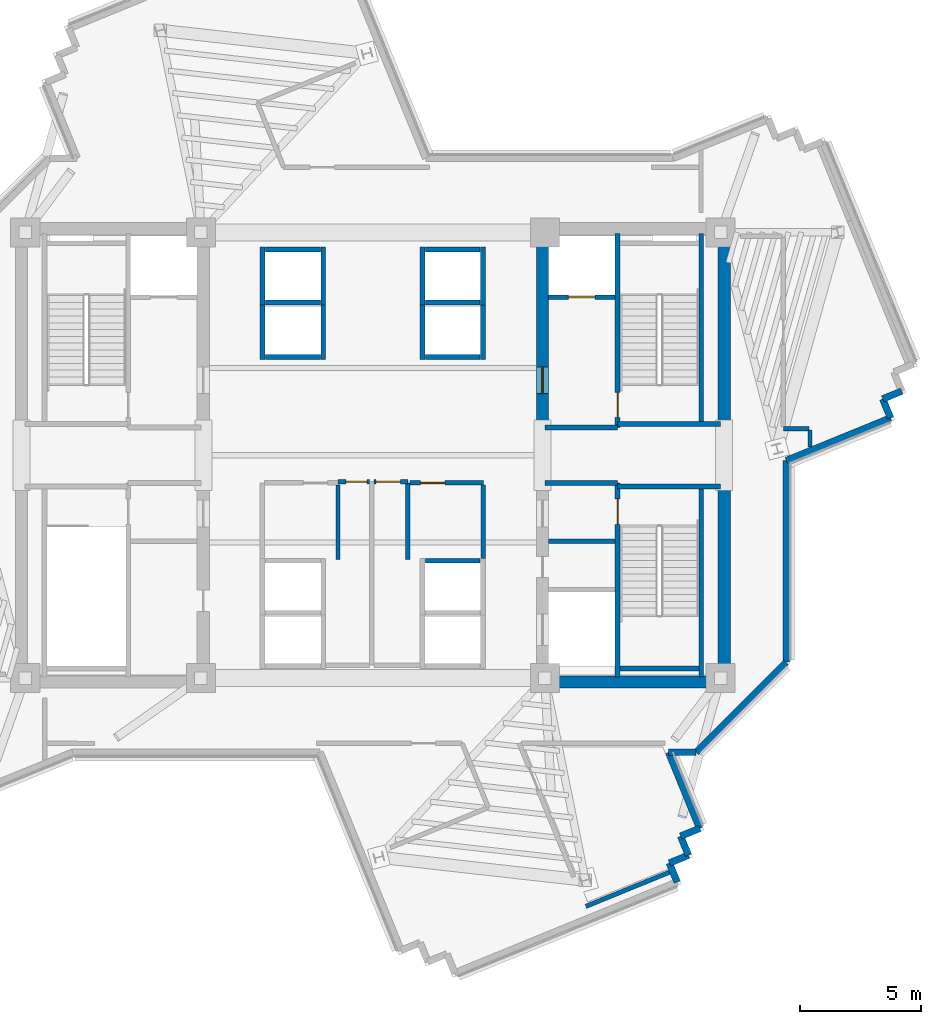
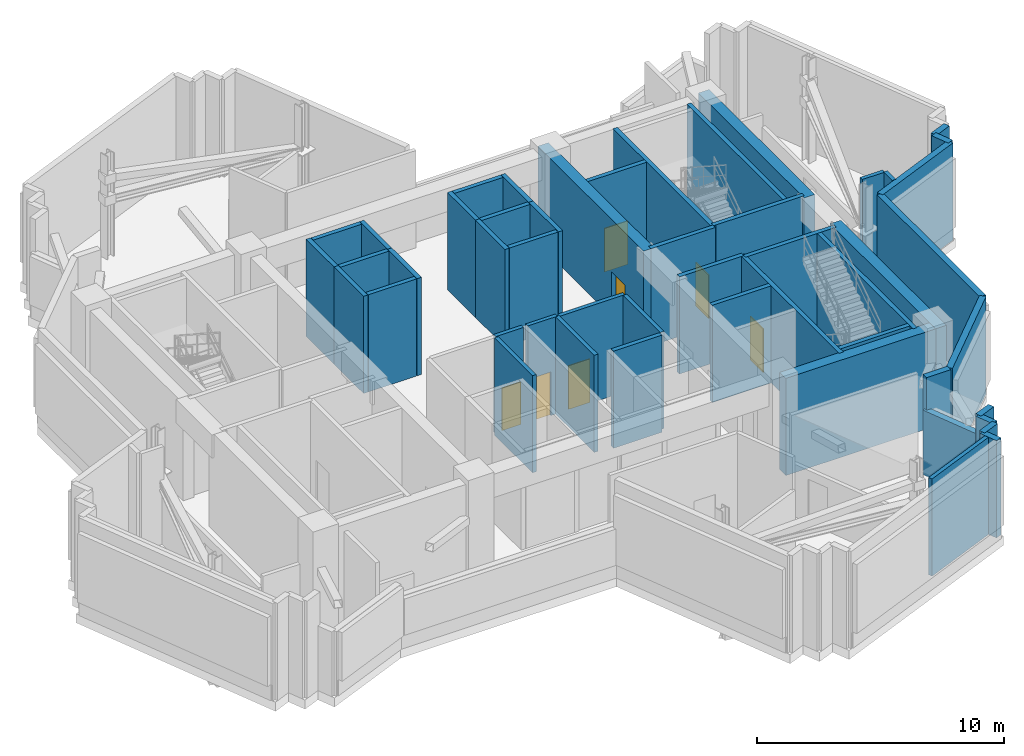
# One storey, part 5 of 11: 50 walls, 7 doors, 7 openings.
"""IFC4 building model written with IfcOpenShell, lengths in metres."""

from ifc_helpers import new_model, si_unit, direction, frame, frame_2d, origin, place, context, subcontext, project, spatial, rectangle, extrude, source, transform, mapped, material, layer, layer_set, type_object, element, fill, save


model = new_model("IFC4")

# Units and contexts
model_context = context("Model", 3, precision=1e-05, world=origin(), true_north=direction((0.0, 1.0)))
body_context = subcontext(model_context, "Body", "Model", "MODEL_VIEW")
ifc_project = project(units=[si_unit("LENGTHUNIT", "METRE"), si_unit("AREAUNIT", "SQUARE_METRE"), si_unit("VOLUMEUNIT", "CUBIC_METRE"), si_unit("PLANEANGLEUNIT", "RADIAN"), si_unit("MASSUNIT", "GRAM", prefix="KILO")], contexts=[model_context])

# Site, building, storey
site_placement = place(None, origin())
site = spatial("IfcSite", under=ifc_project, at=site_placement, CompositionType="ELEMENT")
building_placement = place(site_placement, origin())
building = spatial("IfcBuilding", under=site, at=building_placement, Name="Zahravan Cultural Tower", CompositionType="ELEMENT")
storey_placement = place(building_placement, frame((0.0, 0.0, 229.199951171875)))
storey = spatial("IfcBuildingStorey", under=building, at=storey_placement, Name="L54", CompositionType="ELEMENT", Elevation=229.199951171875)

# Wall, opening, door
ifc_material_1 = material(Name="Concrete C60/75", Category="concrete")
ifc_layer_1 = layer(ifc_material_1, 0.5)
ifc_layer_set_1 = layer_set([ifc_layer_1], Name="Concrete C60/75")
wall_type_1 = type_object("IfcWallType", Name="CW-SHEAR-500-C60", PredefinedType="SHEAR", material=ifc_layer_set_1)
wall_1_placement = place(storey_placement, frame((43.0, 28.050048828125, 0.0), z_axis=(0.0, 0.0, 1.0), x_axis=(0.0, 1.0, 0.0)))
wall_1 = element("IfcWall", 1, at=wall_1_placement, inside=storey, type_object=wall_type_1, Name="L54 Core Shear Wall CW-E-WN-L54", PredefinedType="SHEAR", context=body_context, shape_type="SweptSolid", body=[
    extrude(rectangle(XDim=8.550048828125, YDim=0.5, at=frame_2d((4.27490234375, 0.0))), origin(), (0.0, 0.0, 1.0), 4.800048828125),
])
opening_1_placement = place(wall_1_placement, frame((1.5, 0.0, 0.0)))
opening_1 = element("IfcOpeningElement", 2, at=opening_1_placement, cuts=wall_1, Name="Opening D-L54-06", PredefinedType="OPENING", context=body_context, shape_type="SweptSolid", body=[
    extrude(rectangle(XDim=1.10009765625, YDim=2.199951171875, at=frame_2d((0.550048828125, 1.10009765625))), frame((0.0, 0.260009765625, 0.0), z_axis=(0.0, -1.0, 0.0), x_axis=(1.0, 0.0, 0.0)), (0.0, 0.0, 1.0), 0.52001953125),
])
ifc_material_2 = material(Name="Steel ASTM A572 Grade 50", Category="steel")
door_type_1 = type_object("IfcDoorType", Name="DR-LOBBY-1100", OperationType="NOTDEFINED", PredefinedType="DOOR", material=ifc_material_2)
shared_shape_1 = source(origin(), body_context, "Body", "SweptSolid", [
    extrude(rectangle(XDim=1.10009765625, YDim=2.199951171875, at=frame_2d((0.550048828125, 1.10009765625))), frame((0.0, 0.02490234375, 0.0), z_axis=(0.0, -1.0, 0.0), x_axis=(1.0, 0.0, 0.0)), (0.0, 0.0, 1.0), 0.050048828125),
])
door_1_placement = place(opening_1_placement, origin())
door_1 = element("IfcDoor", 3, at=door_1_placement, inside=storey, type_object=door_type_1, Name="L54 Door D-L54-06", OperationType="SINGLE_SWING_LEFT", OverallHeight=2.199951171875, OverallWidth=1.10009765625, PredefinedType="DOOR", context=body_context, shape_type="MappedRepresentation", body=[
    mapped(shared_shape_1, transform((0.0, 0.0, 0.0), x_axis=(1.0, 0.0, 0.0), y_axis=(0.0, 1.0, 0.0), z_axis=(0.0, 0.0, 1.0), scale=1.0)),
])
fill(opening_1, door_1)

ifc_material_3 = material(Name="Gypsum plasterboard partition")
ifc_layer_2 = layer(ifc_material_3, 0.179931640625)
ifc_layer_set_2 = layer_set([ifc_layer_2], Name="Gypsum plasterboard partition")
wall_type_2 = type_object("IfcWallType", Name="W-COMP-180", PredefinedType="PARTITIONING", material=ifc_layer_set_2)
wall_2_placement = place(storey_placement, frame((37.534912109375, 25.860107421875, 0.0), z_axis=(0.0, 0.0, 1.0), x_axis=(1.0, 0.0, 0.0)))
wall_2 = element("IfcWall", 4, at=wall_2_placement, inside=storey, type_object=wall_type_2, Name="L54 Interior Wall 058", PredefinedType="PARTITIONING", context=body_context, shape_type="SweptSolid", body=[
    extrude(rectangle(XDim=3.025146484375, YDim=0.179931640625, at=frame_2d((1.5126953125, 0.0))), origin(), (0.0, 0.0, 1.0), 4.800048828125),
])
opening_2_placement = place(wall_2_placement, frame((0.431396484375, 0.0, 0.0)))
opening_2 = element("IfcOpeningElement", 5, at=opening_2_placement, cuts=wall_2, Name="Opening D-L54-12", PredefinedType="OPENING", context=body_context, shape_type="SweptSolid", body=[
    extrude(rectangle(XDim=1.0, YDim=2.14990234375, at=frame_2d((0.5, 1.074951171875))), frame((0.0, 0.099853515625, 0.0), z_axis=(0.0, -1.0, 0.0), x_axis=(1.0, 0.0, 0.0)), (0.0, 0.0, 1.0), 0.199951171875),
])
door_type_2 = type_object("IfcDoorType", Name="DR-COMP-1000", OperationType="NOTDEFINED", PredefinedType="DOOR", material=ifc_material_2)
shared_shape_2 = source(origin(), body_context, "Body", "SweptSolid", [
    extrude(rectangle(XDim=1.0, YDim=2.14990234375, at=frame_2d((0.5, 1.074951171875))), frame((0.0, 0.02490234375, 0.0), z_axis=(0.0, -1.0, 0.0), x_axis=(1.0, 0.0, 0.0)), (0.0, 0.0, 1.0), 0.050048828125),
])
door_2_placement = place(opening_2_placement, origin())
door_2 = element("IfcDoor", 6, at=door_2_placement, inside=storey, type_object=door_type_2, Name="L54 Door D-L54-12", OperationType="SINGLE_SWING_LEFT", OverallHeight=2.14990234375, OverallWidth=1.0, PredefinedType="DOOR", context=body_context, shape_type="MappedRepresentation", body=[
    mapped(shared_shape_2, transform((0.0, 0.0, 0.0), x_axis=(1.0, 0.0, 0.0), y_axis=(0.0, 1.0, 0.0), z_axis=(0.0, 0.0, 1.0), scale=1.0)),
])
fill(opening_2, door_2)

wall_3_placement = place(storey_placement, frame((34.56005859375, 25.909912109375, 0.0), z_axis=(0.0, 0.0, 1.0), x_axis=(1.0, 0.0, 0.0)))
wall_3 = element("IfcWall", 7, at=wall_3_placement, inside=storey, type_object=wall_type_2, Name="L54 Interior Wall 062", PredefinedType="PARTITIONING", context=body_context, shape_type="SweptSolid", body=[
    extrude(rectangle(XDim=1.304931640625, YDim=0.179931640625, at=frame_2d((0.65234375, 0.0))), origin(), (0.0, 0.0, 1.0), 4.800048828125),
])
opening_3_placement = place(wall_3_placement, frame((0.325927734375, 0.0, 0.0)))
opening_3 = element("IfcOpeningElement", 8, at=opening_3_placement, cuts=wall_3, Name="Opening D-L54-18", PredefinedType="OPENING", context=body_context, shape_type="SweptSolid", body=[
    extrude(rectangle(XDim=0.8798828125, YDim=2.10009765625, at=frame_2d((0.43994140625, 1.050048828125))), frame((0.0, 0.099853515625, 0.0), z_axis=(0.0, -1.0, 0.0), x_axis=(1.0, 0.0, 0.0)), (0.0, 0.0, 1.0), 0.199951171875),
])
door_type_3 = type_object("IfcDoorType", Name="DR-SVC-880", OperationType="NOTDEFINED", PredefinedType="DOOR", material=ifc_material_2)
shared_shape_3 = source(origin(), body_context, "Body", "SweptSolid", [
    extrude(rectangle(XDim=0.8798828125, YDim=2.10009765625, at=frame_2d((0.43994140625, 1.050048828125))), frame((0.0, 0.02490234375, 0.0), z_axis=(0.0, -1.0, 0.0), x_axis=(1.0, 0.0, 0.0)), (0.0, 0.0, 1.0), 0.050048828125),
])
door_3_placement = place(opening_3_placement, origin())
door_3 = element("IfcDoor", 9, at=door_3_placement, inside=storey, type_object=door_type_3, Name="L54 Door D-L54-18", OperationType="SINGLE_SWING_LEFT", OverallHeight=2.10009765625, OverallWidth=0.8798828125, PredefinedType="DOOR", context=body_context, shape_type="MappedRepresentation", body=[
    mapped(shared_shape_3, transform((0.0, 0.0, 0.0), x_axis=(1.0, 0.0, 0.0), y_axis=(0.0, 1.0, 0.0), z_axis=(0.0, 0.0, 1.0), scale=1.0)),
])
fill(opening_3, door_3)

wall_4_placement = place(storey_placement, frame((36.054931640625, 25.909912109375, 0.0), z_axis=(0.0, 0.0, 1.0), x_axis=(1.0, 0.0, 0.0)))
wall_4 = element("IfcWall", 10, at=wall_4_placement, inside=storey, type_object=wall_type_2, Name="L54 Interior Wall 064", PredefinedType="PARTITIONING", context=body_context, shape_type="SweptSolid", body=[
    extrude(rectangle(XDim=1.385009765625, YDim=0.179931640625, at=frame_2d((0.6923828125, 0.0))), origin(), (0.0, 0.0, 1.0), 4.800048828125),
])
opening_4_placement = place(wall_4_placement, frame((0.080078125, 0.0, 0.0)))
opening_4 = element("IfcOpeningElement", 11, at=opening_4_placement, cuts=wall_4, Name="Opening D-L54-19", PredefinedType="OPENING", context=body_context, shape_type="SweptSolid", body=[
    extrude(rectangle(XDim=1.0, YDim=2.14990234375, at=frame_2d((0.5, 1.074951171875))), frame((0.0, 0.099853515625, 0.0), z_axis=(0.0, -1.0, 0.0), x_axis=(1.0, 0.0, 0.0)), (0.0, 0.0, 1.0), 0.199951171875),
])
door_4_placement = place(opening_4_placement, origin())
door_4 = element("IfcDoor", 12, at=door_4_placement, inside=storey, type_object=door_type_2, Name="L54 Door D-L54-19", OperationType="SINGLE_SWING_RIGHT", OverallHeight=2.14990234375, OverallWidth=1.0, PredefinedType="DOOR", context=body_context, shape_type="MappedRepresentation", body=[
    mapped(shared_shape_2, transform((0.0, 0.0, 0.0), x_axis=(1.0, 0.0, 0.0), y_axis=(0.0, 1.0, 0.0), z_axis=(0.0, 0.0, 1.0), scale=1.0)),
])
fill(opening_4, door_4)

ifc_material_4 = material(Name="Concrete C45/55", Category="concrete")
ifc_layer_3 = layer(ifc_material_4, 0.199951171875)
ifc_layer_set_3 = layer_set([ifc_layer_3], Name="Concrete C45/55")
wall_type_3 = type_object("IfcWallType", Name="W-SHAFT-200", PredefinedType="SOLIDWALL", material=ifc_layer_set_3)
wall_5_placement = place(storey_placement, frame((46.10009765625, 17.85009765625, 0.0), z_axis=(0.0, 0.0, 1.0), x_axis=(0.0, 1.0, 0.0)))
wall_5 = element("IfcWall", 13, at=wall_5_placement, inside=storey, type_object=wall_type_3, Name="L54 Interior Wall 007", PredefinedType="SOLIDWALL", context=body_context, shape_type="SweptSolid", body=[
    extrude(rectangle(XDim=8.0, YDim=0.199951171875, at=frame_2d((4.0, 0.0))), origin(), (0.0, 0.0, 1.0), 4.800048828125),
])
opening_5_placement = place(wall_5_placement, frame((6.300048828125, 0.0, 0.0)))
opening_5 = element("IfcOpeningElement", 14, at=opening_5_placement, cuts=wall_5, Name="Opening D-L54-03", PredefinedType="OPENING", context=body_context, shape_type="SweptSolid", body=[
    extrude(rectangle(XDim=1.050048828125, YDim=2.14990234375, at=frame_2d((0.52490234375, 1.074951171875))), frame((0.0, 0.10986328125, 0.0), z_axis=(0.0, -1.0, 0.0), x_axis=(1.0, 0.0, 0.0)), (0.0, 0.0, 1.0), 0.219970703125),
])
door_type_4 = type_object("IfcDoorType", Name="DR-STAIR-1050", OperationType="NOTDEFINED", PredefinedType="DOOR", material=ifc_material_2)
shared_shape_4 = source(origin(), body_context, "Body", "SweptSolid", [
    extrude(rectangle(XDim=1.050048828125, YDim=2.14990234375, at=frame_2d((0.52490234375, 1.074951171875))), frame((0.0, 0.02490234375, 0.0), z_axis=(0.0, -1.0, 0.0), x_axis=(1.0, 0.0, 0.0)), (0.0, 0.0, 1.0), 0.050048828125),
])
door_5_placement = place(opening_5_placement, origin())
door_5 = element("IfcDoor", 15, at=door_5_placement, inside=storey, type_object=door_type_4, Name="L54 Door D-L54-03", OperationType="SINGLE_SWING_RIGHT", OverallHeight=2.14990234375, OverallWidth=1.050048828125, PredefinedType="DOOR", context=body_context, shape_type="MappedRepresentation", body=[
    mapped(shared_shape_4, transform((0.0, 0.0, 0.0), x_axis=(1.0, 0.0, 0.0), y_axis=(0.0, 1.0, 0.0), z_axis=(0.0, 0.0, 1.0), scale=1.0)),
])
fill(opening_5, door_5)

wall_6_placement = place(storey_placement, frame((46.10009765625, 28.14990234375, 0.0), z_axis=(0.0, 0.0, 1.0), x_axis=(0.0, 1.0, 0.0)))
wall_6 = element("IfcWall", 16, at=wall_6_placement, inside=storey, type_object=wall_type_3, Name="L54 Interior Wall 008", PredefinedType="SOLIDWALL", context=body_context, shape_type="SweptSolid", body=[
    extrude(rectangle(XDim=8.0, YDim=0.199951171875, at=frame_2d((4.0, 0.0))), origin(), (0.0, 0.0, 1.0), 4.800048828125),
])
opening_6_placement = place(wall_6_placement, frame((0.39990234375, 0.0, 0.0)))
opening_6 = element("IfcOpeningElement", 17, at=opening_6_placement, cuts=wall_6, Name="Opening D-L54-02", PredefinedType="OPENING", context=body_context, shape_type="SweptSolid", body=[
    extrude(rectangle(XDim=1.050048828125, YDim=2.14990234375, at=frame_2d((0.52490234375, 1.074951171875))), frame((0.0, 0.10986328125, 0.0), z_axis=(0.0, -1.0, 0.0), x_axis=(1.0, 0.0, 0.0)), (0.0, 0.0, 1.0), 0.219970703125),
])
door_6_placement = place(opening_6_placement, origin())
door_6 = element("IfcDoor", 18, at=door_6_placement, inside=storey, type_object=door_type_4, Name="L54 Door D-L54-02", OperationType="SINGLE_SWING_LEFT", OverallHeight=2.14990234375, OverallWidth=1.050048828125, PredefinedType="DOOR", context=body_context, shape_type="MappedRepresentation", body=[
    mapped(shared_shape_4, transform((0.0, 0.0, 0.0), x_axis=(1.0, 0.0, 0.0), y_axis=(0.0, 1.0, 0.0), z_axis=(0.0, 0.0, 1.0), scale=1.0)),
])
fill(opening_6, door_6)

wall_7_placement = place(storey_placement, frame((43.25, 33.52001953125, 0.0), z_axis=(0.0, 0.0, 1.0), x_axis=(1.0, 0.0, 0.0)))
wall_7 = element("IfcWall", 19, at=wall_7_placement, inside=storey, type_object=wall_type_3, Name="L54 Interior Wall 022", PredefinedType="SOLIDWALL", context=body_context, shape_type="SweptSolid", body=[
    extrude(rectangle(XDim=2.75, YDim=0.199951171875, at=frame_2d((1.375, 0.0))), origin(), (0.0, 0.0, 1.0), 4.800048828125),
])
opening_7_placement = place(wall_7_placement, frame((0.820068359375, 0.0, 0.0)))
opening_7 = element("IfcOpeningElement", 20, at=opening_7_placement, cuts=wall_7, Name="Opening LD-L54-02", PredefinedType="OPENING", context=body_context, shape_type="SweptSolid", body=[
    extrude(rectangle(XDim=1.10009765625, YDim=2.14990234375, at=frame_2d((0.550048828125, 1.074951171875))), frame((0.0, 0.10986328125, 0.0), z_axis=(0.0, -1.0, 0.0), x_axis=(1.0, 0.0, 0.0)), (0.0, 0.0, 1.0), 0.219970703125),
])
door_type_5 = type_object("IfcDoorType", Name="DR-LIFT-1100", OperationType="DOUBLE_DOOR_SLIDING", PredefinedType="DOOR", material=ifc_material_2)
shared_shape_5 = source(origin(), body_context, "Body", "SweptSolid", [
    extrude(rectangle(XDim=1.10009765625, YDim=2.14990234375, at=frame_2d((0.550048828125, 1.074951171875))), frame((0.0, 0.02490234375, 0.0), z_axis=(0.0, -1.0, 0.0), x_axis=(1.0, 0.0, 0.0)), (0.0, 0.0, 1.0), 0.050048828125),
])
door_7_placement = place(opening_7_placement, origin())
door_7 = element("IfcDoor", 21, at=door_7_placement, inside=storey, type_object=door_type_5, Name="L54 Door LD-L54-02", OperationType="DOUBLE_DOOR_SLIDING", OverallHeight=2.14990234375, OverallWidth=1.10009765625, PredefinedType="DOOR", context=body_context, shape_type="MappedRepresentation", body=[
    mapped(shared_shape_5, transform((0.0, 0.0, 0.0), x_axis=(1.0, 0.0, 0.0), y_axis=(0.0, 1.0, 0.0), z_axis=(0.0, 0.0, 1.0), scale=1.0)),
])
fill(opening_7, door_7)

# Walls
shared_shape_6 = source(origin(), body_context, "Body", "SweptSolid", [
    extrude(rectangle(XDim=8.550048828125, YDim=0.5, at=frame_2d((4.27490234375, 0.0))), origin(), (0.0, 0.0, 1.0), 4.800048828125),
])
for number, where, z_axis, x_axis, name in (
    (22, (50.5, 17.39990234375, 0.0), (0.0, 0.0, 1.0), (0.0, 1.0, 0.0), "L54 Core Shear Wall CW-E-ES-L54"),
    (23, (50.5, 28.050048828125, 0.0), (0.0, 0.0, 1.0), (0.0, 1.0, 0.0), "L54 Core Shear Wall CW-E-EN-L54"),
):
    element("IfcWall", number, at=place(storey_placement, frame(where, z_axis=z_axis, x_axis=x_axis)), inside=storey, type_object=wall_type_1, Name=name, PredefinedType="SHEAR", context=body_context, shape_type="MappedRepresentation", body=[
        mapped(shared_shape_6, transform((0.0, 0.0, 0.0), x_axis=(1.0, 0.0, 0.0), y_axis=(0.0, 1.0, 0.0), z_axis=(0.0, 0.0, 1.0), scale=1.0)),
    ])
shared_shape_7 = source(origin(), body_context, "Body", "SweptSolid", [
    extrude(rectangle(XDim=7.0, YDim=0.5, at=frame_2d((3.5, 0.0))), origin(), (0.0, 0.0, 1.0), 4.800048828125),
])
wall_8_placement = place(storey_placement, frame((43.25, 17.64990234375, 0.0), z_axis=(0.0, 0.0, 1.0), x_axis=(1.0, 0.0, 0.0)))
element("IfcWall", 24, at=wall_8_placement, inside=storey, type_object=wall_type_1, Name="L54 Core Shear Wall CW-E-S-L54", PredefinedType="SHEAR", context=body_context, shape_type="MappedRepresentation", body=[
    mapped(shared_shape_7, transform((0.0, 0.0, 0.0), x_axis=(1.0, 0.0, 0.0), y_axis=(0.0, 1.0, 0.0), z_axis=(0.0, 0.0, 1.0), scale=1.0)),
])
ifc_material_5 = material(Name="Precast concrete C40/50", Category="concrete")
ifc_layer_4 = layer(ifc_material_5, 0.280029296875)
ifc_layer_set_4 = layer_set([ifc_layer_4], Name="Precast concrete C40/50")
wall_type_4 = type_object("IfcWallType", Name="EW-TC-280", PredefinedType="SOLIDWALL", material=ifc_layer_set_4)
shared_shape_8 = source(origin(), body_context, "Body", "SweptSolid", [
    extrude(rectangle(XDim=0.85009765625, YDim=0.280029296875, at=frame_2d((0.425048828125, 0.0))), origin(), (0.0, 0.0, 1.0), 4.800048828125),
])
for number, where, z_axis, x_axis, name in (
    (25, (57.044677734375, 29.32568359375, 0.0), (0.0, 0.0, 1.0), (0.378263755491, -0.925697861768, 0.0), "L54 Exterior Masonry Frame Wall 10"),
    (26, (49.490234375, 11.599365234375, 0.0), (0.0, 0.0, 1.0), (-0.925697861768, -0.378263755491, 0.0), "L54 Exterior Masonry Frame Wall 16"),
    (27, (48.703369140625, 11.27783203125, 0.0), (0.0, 0.0, 1.0), (0.378263755491, -0.925697861768, 0.0), "L54 Exterior Masonry Frame Wall 17"),
):
    element("IfcWall", number, at=place(storey_placement, frame(where, z_axis=z_axis, x_axis=x_axis)), inside=storey, type_object=wall_type_4, Name=name, PredefinedType="SOLIDWALL", context=body_context, shape_type="MappedRepresentation", body=[
        mapped(shared_shape_8, transform((0.0, 0.0, 0.0), x_axis=(1.0, 0.0, 0.0), y_axis=(0.0, 1.0, 0.0), z_axis=(0.0, 0.0, 1.0), scale=1.0)),
    ])
shared_shape_9 = source(origin(), body_context, "Body", "SweptSolid", [
    extrude(rectangle(XDim=0.849853515625, YDim=0.280029296875, at=frame_2d((0.4248046875, 0.0))), origin(), (0.0, 0.0, 1.0), 4.800048828125),
])
for number, where, z_axis, x_axis, name in (
    (28, (57.831298828125, 29.6474609375, 0.0), (0.0, 0.0, 1.0), (-0.925556107625, -0.378610474814, 0.0), "L54 Exterior Masonry Frame Wall 09"),
    (29, (49.02490234375, 10.490966796875, 0.0), (0.0, 0.0, 1.0), (-0.925556107625, -0.378610474814, 0.0), "L54 Exterior Masonry Frame Wall 18"),
    (30, (48.23828125, 10.169189453125, 0.0), (0.0, 0.0, 1.0), (0.378364351045, -0.92565674948, 0.0), "L54 Exterior Masonry Frame Wall 19"),
):
    element("IfcWall", number, at=place(storey_placement, frame(where, z_axis=z_axis, x_axis=x_axis)), inside=storey, type_object=wall_type_4, Name=name, PredefinedType="SOLIDWALL", context=body_context, shape_type="MappedRepresentation", body=[
        mapped(shared_shape_9, transform((0.0, 0.0, 0.0), x_axis=(1.0, 0.0, 0.0), y_axis=(0.0, 1.0, 0.0), z_axis=(0.0, 0.0, 1.0), scale=1.0)),
    ])
shared_shape_10 = source(origin(), body_context, "Body", "SweptSolid", [
    extrude(rectangle(XDim=4.65185546875, YDim=0.280029296875, at=frame_2d((2.325927734375, 0.0))), origin(), (0.0, 0.0, 1.0), 4.800048828125),
])
wall_9_placement = place(storey_placement, frame((57.3662109375, 28.538818359375, 0.0), z_axis=(0.0, 0.0, 1.0), x_axis=(-0.925667291587, -0.37833855908, 0.0)))
element("IfcWall", 31, at=wall_9_placement, inside=storey, type_object=wall_type_4, Name="L54 Exterior Masonry Frame Wall 11", PredefinedType="SOLIDWALL", context=body_context, shape_type="MappedRepresentation", body=[
    mapped(shared_shape_10, transform((0.0, 0.0, 0.0), x_axis=(1.0, 0.0, 0.0), y_axis=(0.0, 1.0, 0.0), z_axis=(0.0, 0.0, 1.0), scale=1.0)),
])
shared_shape_11 = source(origin(), body_context, "Body", "SweptSolid", [
    extrude(rectangle(XDim=8.32080078125, YDim=0.280029296875, at=frame_2d((4.160400390625, 0.0))), origin(), (0.0, 0.0, 1.0), 4.800048828125),
])
wall_10_placement = place(storey_placement, frame((53.06005859375, 26.77880859375, 0.0), z_axis=(0.0, 0.0, 1.0), x_axis=(0.0, -1.0, 0.0)))
element("IfcWall", 32, at=wall_10_placement, inside=storey, type_object=wall_type_4, Name="L54 Exterior Masonry Frame Wall 12", PredefinedType="SOLIDWALL", context=body_context, shape_type="MappedRepresentation", body=[
    mapped(shared_shape_11, transform((0.0, 0.0, 0.0), x_axis=(1.0, 0.0, 0.0), y_axis=(0.0, 1.0, 0.0), z_axis=(0.0, 0.0, 1.0), scale=1.0)),
])
shared_shape_12 = source(origin(), body_context, "Body", "SweptSolid", [
    extrude(rectangle(XDim=5.258056640625, YDim=0.280029296875, at=frame_2d((2.62890625, 0.0))), origin(), (0.0, 0.0, 1.0), 4.800048828125),
])
wall_11_placement = place(storey_placement, frame((53.06005859375, 18.4580078125, 0.0), z_axis=(0.0, 0.0, 1.0), x_axis=(-0.707106781187, -0.707106781187, 0.0)))
element("IfcWall", 33, at=wall_11_placement, inside=storey, type_object=wall_type_4, Name="L54 Exterior Masonry Frame Wall 13", PredefinedType="SOLIDWALL", context=body_context, shape_type="MappedRepresentation", body=[
    mapped(shared_shape_12, transform((0.0, 0.0, 0.0), x_axis=(1.0, 0.0, 0.0), y_axis=(0.0, 1.0, 0.0), z_axis=(0.0, 0.0, 1.0), scale=1.0)),
])
shared_shape_13 = source(origin(), body_context, "Body", "SweptSolid", [
    extrude(rectangle(XDim=1.1357421875, YDim=0.280029296875, at=frame_2d((0.56787109375, 0.0))), origin(), (0.0, 0.0, 1.0), 4.800048828125),
])
wall_12_placement = place(storey_placement, frame((49.342041015625, 14.739990234375, 0.0), z_axis=(0.0, 0.0, 1.0), x_axis=(-1.0, 0.0, 0.0)))
element("IfcWall", 34, at=wall_12_placement, inside=storey, type_object=wall_type_4, Name="L54 Exterior Masonry Frame Wall 14", PredefinedType="SOLIDWALL", context=body_context, shape_type="MappedRepresentation", body=[
    mapped(shared_shape_13, transform((0.0, 0.0, 0.0), x_axis=(1.0, 0.0, 0.0), y_axis=(0.0, 1.0, 0.0), z_axis=(0.0, 0.0, 1.0), scale=1.0)),
])
shared_shape_14 = source(origin(), body_context, "Body", "SweptSolid", [
    extrude(rectangle(XDim=3.392822265625, YDim=0.280029296875, at=frame_2d((1.6962890625, 0.0))), origin(), (0.0, 0.0, 1.0), 3.192138671875),
])
wall_13_placement = place(storey_placement, frame((48.206298828125, 14.739990234375, 0.0), z_axis=(0.0, 0.0, 1.0), x_axis=(0.378414294029, -0.925636333597, 0.0)))
element("IfcWall", 35, at=wall_13_placement, inside=storey, type_object=wall_type_4, Name="L54 Exterior Masonry Frame Wall 15", PredefinedType="SOLIDWALL", context=body_context, shape_type="MappedRepresentation", body=[
    mapped(shared_shape_14, transform((0.0, 0.0, 0.0), x_axis=(1.0, 0.0, 0.0), y_axis=(0.0, 1.0, 0.0), z_axis=(0.0, 0.0, 1.0), scale=1.0)),
])
shared_shape_15 = source(origin(), body_context, "Body", "SweptSolid", [
    extrude(rectangle(XDim=7.869873046875, YDim=0.199951171875, at=frame_2d((3.93505859375, 0.0))), origin(), (0.0, 0.0, 1.0), 4.800048828125),
])
for number, where, z_axis, x_axis, name in (
    (36, (49.550048828125, 17.85009765625, 0.0), (0.0, 0.0, 1.0), (0.0, 1.0, 0.0), "L54 Interior Wall 003"),
    (37, (49.550048828125, 28.280029296875, 0.0), (0.0, 0.0, 1.0), (0.0, 1.0, 0.0), "L54 Interior Wall 004"),
):
    element("IfcWall", number, at=place(storey_placement, frame(where, z_axis=z_axis, x_axis=x_axis)), inside=storey, type_object=wall_type_3, Name=name, PredefinedType="SOLIDWALL", context=body_context, shape_type="MappedRepresentation", body=[
        mapped(shared_shape_15, transform((0.0, 0.0, 0.0), x_axis=(1.0, 0.0, 0.0), y_axis=(0.0, 1.0, 0.0), z_axis=(0.0, 0.0, 1.0), scale=1.0)),
    ])
shared_shape_16 = source(origin(), body_context, "Body", "SweptSolid", [
    extrude(rectangle(XDim=4.25, YDim=0.199951171875, at=frame_2d((2.125, 0.0))), origin(), (0.0, 0.0, 1.0), 4.800048828125),
])
for number, where, z_axis, x_axis, name in (
    (38, (46.10009765625, 25.715087890625, 0.0), (0.0, 0.0, 1.0), (1.0, 0.0, 0.0), "L54 Interior Wall 014"),
    (39, (46.10009765625, 28.284912109375, 0.0), (0.0, 0.0, 1.0), (1.0, 0.0, 0.0), "L54 Interior Wall 016"),
):
    element("IfcWall", number, at=place(storey_placement, frame(where, z_axis=z_axis, x_axis=x_axis)), inside=storey, type_object=wall_type_3, Name=name, PredefinedType="SOLIDWALL", context=body_context, shape_type="MappedRepresentation", body=[
        mapped(shared_shape_16, transform((0.0, 0.0, 0.0), x_axis=(1.0, 0.0, 0.0), y_axis=(0.0, 1.0, 0.0), z_axis=(0.0, 0.0, 1.0), scale=1.0)),
    ])
shared_shape_17 = source(origin(), body_context, "Body", "SweptSolid", [
    extrude(rectangle(XDim=3.0, YDim=0.199951171875, at=frame_2d((1.5, 0.0))), origin(), (0.0, 0.0, 1.0), 4.800048828125),
])
for number, where, z_axis, x_axis, name in (
    (40, (43.10009765625, 25.85009765625, 0.0), (0.0, 0.0, 1.0), (1.0, 0.0, 0.0), "L54 Interior Wall 013"),
    (41, (43.10009765625, 28.14990234375, 0.0), (0.0, 0.0, 1.0), (1.0, 0.0, 0.0), "L54 Interior Wall 015"),
):
    element("IfcWall", number, at=place(storey_placement, frame(where, z_axis=z_axis, x_axis=x_axis)), inside=storey, type_object=wall_type_3, Name=name, PredefinedType="SOLIDWALL", context=body_context, shape_type="MappedRepresentation", body=[
        mapped(shared_shape_17, transform((0.0, 0.0, 0.0), x_axis=(1.0, 0.0, 0.0), y_axis=(0.0, 1.0, 0.0), z_axis=(0.0, 0.0, 1.0), scale=1.0)),
    ])
shared_shape_18 = source(origin(), body_context, "Body", "SweptSolid", [
    extrude(rectangle(XDim=3.25, YDim=0.199951171875, at=frame_2d((1.625, 0.0))), origin(), (0.0, 0.0, 1.0), 4.800048828125),
])
wall_14_placement = place(storey_placement, frame((46.199951171875, 18.199951171875, 0.0), z_axis=(0.0, 0.0, 1.0), x_axis=(1.0, 0.0, 0.0)))
element("IfcWall", 42, at=wall_14_placement, inside=storey, type_object=wall_type_3, Name="L54 Interior Wall 020", PredefinedType="SOLIDWALL", context=body_context, shape_type="MappedRepresentation", body=[
    mapped(shared_shape_18, transform((0.0, 0.0, 0.0), x_axis=(1.0, 0.0, 0.0), y_axis=(0.0, 1.0, 0.0), z_axis=(0.0, 0.0, 1.0), scale=1.0)),
])
shared_shape_19 = source(origin(), body_context, "Body", "SweptSolid", [
    extrude(rectangle(XDim=2.75, YDim=0.199951171875, at=frame_2d((1.375, 0.0))), origin(), (0.0, 0.0, 1.0), 4.800048828125),
])
wall_15_placement = place(storey_placement, frame((43.25, 23.449951171875, 0.0), z_axis=(0.0, 0.0, 1.0), x_axis=(1.0, 0.0, 0.0)))
element("IfcWall", 43, at=wall_15_placement, inside=storey, type_object=wall_type_3, Name="L54 Interior Wall 024", PredefinedType="SOLIDWALL", context=body_context, shape_type="MappedRepresentation", body=[
    mapped(shared_shape_19, transform((0.0, 0.0, 0.0), x_axis=(1.0, 0.0, 0.0), y_axis=(0.0, 1.0, 0.0), z_axis=(0.0, 0.0, 1.0), scale=1.0)),
])
shared_shape_20 = source(origin(), body_context, "Body", "SweptSolid", [
    extrude(rectangle(XDim=2.400146484375, YDim=0.199951171875, at=frame_2d((1.2001953125, 0.0))), origin(), (0.0, 0.0, 1.0), 4.800048828125),
])
for number, where, z_axis, x_axis, name in (
    (44, (31.449951171875, 33.199951171875, 0.0), (0.0, 0.0, 1.0), (0.0, 1.0, 0.0), "L54 Interior Wall 026"),
    (45, (33.949951171875, 33.199951171875, 0.0), (0.0, 0.0, 1.0), (0.0, 1.0, 0.0), "L54 Interior Wall 027"),
    (46, (31.449951171875, 30.949951171875, 0.0), (0.0, 0.0, 1.0), (0.0, 1.0, 0.0), "L54 Interior Wall 030"),
    (47, (33.949951171875, 30.949951171875, 0.0), (0.0, 0.0, 1.0), (0.0, 1.0, 0.0), "L54 Interior Wall 031"),
    (48, (38.050048828125, 33.199951171875, 0.0), (0.0, 0.0, 1.0), (0.0, 1.0, 0.0), "L54 Interior Wall 033"),
    (49, (40.550048828125, 33.199951171875, 0.0), (0.0, 0.0, 1.0), (0.0, 1.0, 0.0), "L54 Interior Wall 034"),
    (50, (38.050048828125, 30.949951171875, 0.0), (0.0, 0.0, 1.0), (0.0, 1.0, 0.0), "L54 Interior Wall 037"),
    (51, (40.550048828125, 30.949951171875, 0.0), (0.0, 0.0, 1.0), (0.0, 1.0, 0.0), "L54 Interior Wall 038"),
):
    element("IfcWall", number, at=place(storey_placement, frame(where, z_axis=z_axis, x_axis=x_axis)), inside=storey, type_object=wall_type_3, Name=name, PredefinedType="SOLIDWALL", context=body_context, shape_type="MappedRepresentation", body=[
        mapped(shared_shape_20, transform((0.0, 0.0, 0.0), x_axis=(1.0, 0.0, 0.0), y_axis=(0.0, 1.0, 0.0), z_axis=(0.0, 0.0, 1.0), scale=1.0)),
    ])
shared_shape_21 = source(origin(), body_context, "Body", "SweptSolid", [
    extrude(rectangle(XDim=2.260009765625, YDim=0.199951171875, at=frame_2d((1.1298828125, 0.0))), origin(), (0.0, 0.0, 1.0), 4.800048828125),
])
for number, where, z_axis, x_axis, name in (
    (52, (31.570068359375, 33.300048828125, 0.0), (0.0, 0.0, 1.0), (1.0, 0.0, 0.0), "L54 Interior Wall 028"),
    (53, (31.570068359375, 35.5, 0.0), (0.0, 0.0, 1.0), (1.0, 0.0, 0.0), "L54 Interior Wall 029"),
    (54, (31.570068359375, 31.050048828125, 0.0), (0.0, 0.0, 1.0), (1.0, 0.0, 0.0), "L54 Interior Wall 032"),
    (55, (38.169921875, 33.300048828125, 0.0), (0.0, 0.0, 1.0), (1.0, 0.0, 0.0), "L54 Interior Wall 035"),
    (56, (38.169921875, 35.5, 0.0), (0.0, 0.0, 1.0), (1.0, 0.0, 0.0), "L54 Interior Wall 036"),
    (57, (38.169921875, 31.050048828125, 0.0), (0.0, 0.0, 1.0), (1.0, 0.0, 0.0), "L54 Interior Wall 039"),
    (58, (38.169921875, 22.64990234375, 0.0), (0.0, 0.0, 1.0), (1.0, 0.0, 0.0), "L54 Interior Wall 050"),
):
    element("IfcWall", number, at=place(storey_placement, frame(where, z_axis=z_axis, x_axis=x_axis)), inside=storey, type_object=wall_type_3, Name=name, PredefinedType="SOLIDWALL", context=body_context, shape_type="MappedRepresentation", body=[
        mapped(shared_shape_21, transform((0.0, 0.0, 0.0), x_axis=(1.0, 0.0, 0.0), y_axis=(0.0, 1.0, 0.0), z_axis=(0.0, 0.0, 1.0), scale=1.0)),
    ])
shared_shape_22 = source(origin(), body_context, "Body", "SweptSolid", [
    extrude(rectangle(XDim=3.074951171875, YDim=0.179931640625, at=frame_2d((1.53759765625, 0.0))), origin(), (0.0, 0.0, 1.0), 4.800048828125),
])
wall_16_placement = place(storey_placement, frame((34.56005859375, 25.764892578125, 0.0), z_axis=(0.0, 0.0, 1.0), x_axis=(0.0, -1.0, 0.0)))
element("IfcWall", 59, at=wall_16_placement, inside=storey, type_object=wall_type_2, Name="L54 Interior Wall 056", PredefinedType="PARTITIONING", context=body_context, shape_type="MappedRepresentation", body=[
    mapped(shared_shape_22, transform((0.0, 0.0, 0.0), x_axis=(1.0, 0.0, 0.0), y_axis=(0.0, 1.0, 0.0), z_axis=(0.0, 0.0, 1.0), scale=1.0)),
])
shared_shape_23 = source(origin(), body_context, "Body", "SweptSolid", [
    extrude(rectangle(XDim=3.170166015625, YDim=0.179931640625, at=frame_2d((1.5849609375, 0.0))), origin(), (0.0, 0.0, 1.0), 4.800048828125),
])
wall_17_placement = place(storey_placement, frame((37.43994140625, 22.68994140625, 0.0), z_axis=(0.0, 0.0, 1.0), x_axis=(0.0, 1.0, 0.0)))
element("IfcWall", 60, at=wall_17_placement, inside=storey, type_object=wall_type_2, Name="L54 Interior Wall 057", PredefinedType="PARTITIONING", context=body_context, shape_type="MappedRepresentation", body=[
    mapped(shared_shape_23, transform((0.0, 0.0, 0.0), x_axis=(1.0, 0.0, 0.0), y_axis=(0.0, 1.0, 0.0), z_axis=(0.0, 0.0, 1.0), scale=1.0)),
])
shared_shape_24 = source(origin(), body_context, "Body", "SweptSolid", [
    extrude(rectangle(XDim=3.014892578125, YDim=0.179931640625, at=frame_2d((1.50732421875, 0.0))), origin(), (0.0, 0.0, 1.0), 4.800048828125),
])
wall_18_placement = place(storey_placement, frame((40.56005859375, 25.764892578125, 0.0), z_axis=(0.0, 0.0, 1.0), x_axis=(0.0, -1.0, 0.0)))
element("IfcWall", 61, at=wall_18_placement, inside=storey, type_object=wall_type_2, Name="L54 Interior Wall 059", PredefinedType="PARTITIONING", context=body_context, shape_type="MappedRepresentation", body=[
    mapped(shared_shape_24, transform((0.0, 0.0, 0.0), x_axis=(1.0, 0.0, 0.0), y_axis=(0.0, 1.0, 0.0), z_axis=(0.0, 0.0, 1.0), scale=1.0)),
])
shared_shape_25 = source(origin(), body_context, "Body", "SweptSolid", [
    extrude(rectangle(XDim=3.724609375, YDim=0.179931640625, at=frame_2d((1.8623046875, 0.0))), origin(), (0.0, 0.0, 1.0), 4.800048828125),
])
wall_19_placement = place(storey_placement, frame((48.236328125, 9.79052734375, 0.0), z_axis=(0.0, 0.0, 1.0), x_axis=(-0.92564298346, -0.378398027441, 0.0)))
element("IfcWall", 62, at=wall_19_placement, inside=storey, type_object=wall_type_2, Name="L54 Interior Wall 071", PredefinedType="PARTITIONING", context=body_context, shape_type="MappedRepresentation", body=[
    mapped(shared_shape_25, transform((0.0, 0.0, 0.0), x_axis=(1.0, 0.0, 0.0), y_axis=(0.0, 1.0, 0.0), z_axis=(0.0, 0.0, 1.0), scale=1.0)),
])
shared_shape_26 = source(origin(), body_context, "Body", "SweptSolid", [
    extrude(rectangle(XDim=0.70654296875, YDim=0.179931640625, at=frame_2d((0.353271484375, 0.0))), origin(), (0.0, 0.0, 1.0), 4.800048828125),
])
wall_20_placement = place(storey_placement, frame((54.0400390625, 27.3359375, 0.0), z_axis=(0.0, 0.0, 1.0), x_axis=(0.0, 1.0, 0.0)))
element("IfcWall", 63, at=wall_20_placement, inside=storey, type_object=wall_type_2, Name="L54 Interior Wall 076", PredefinedType="PARTITIONING", context=body_context, shape_type="MappedRepresentation", body=[
    mapped(shared_shape_26, transform((0.0, 0.0, 0.0), x_axis=(1.0, 0.0, 0.0), y_axis=(0.0, 1.0, 0.0), z_axis=(0.0, 0.0, 1.0), scale=1.0)),
])
shared_shape_27 = source(origin(), body_context, "Body", "SweptSolid", [
    extrude(rectangle(XDim=1.05419921875, YDim=0.179931640625, at=frame_2d((0.527099609375, 0.0))), origin(), (0.0, 0.0, 1.0), 4.800048828125),
])
wall_21_placement = place(storey_placement, frame((53.994140625, 28.090087890625, 0.0), z_axis=(0.0, 0.0, 1.0), x_axis=(-1.0, 0.0, 0.0)))
element("IfcWall", 64, at=wall_21_placement, inside=storey, type_object=wall_type_2, Name="L54 Interior Wall 077", PredefinedType="PARTITIONING", context=body_context, shape_type="MappedRepresentation", body=[
    mapped(shared_shape_27, transform((0.0, 0.0, 0.0), x_axis=(1.0, 0.0, 0.0), y_axis=(0.0, 1.0, 0.0), z_axis=(0.0, 0.0, 1.0), scale=1.0)),
])

save(model, "model.ifc")
